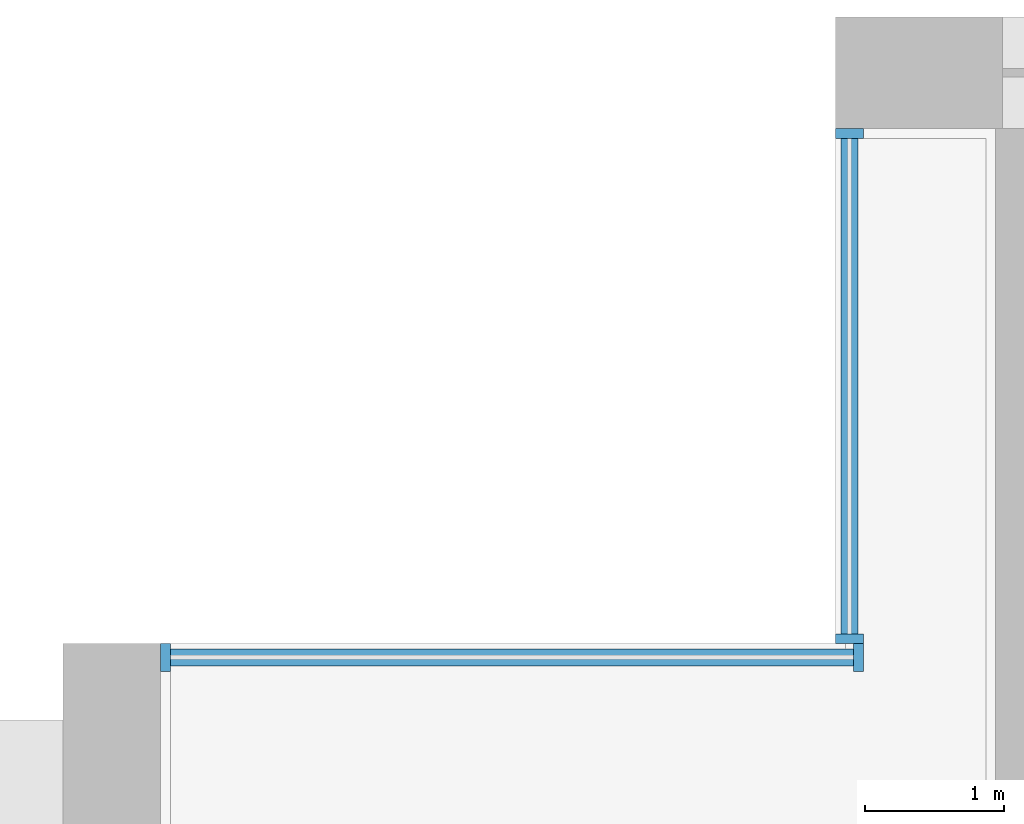
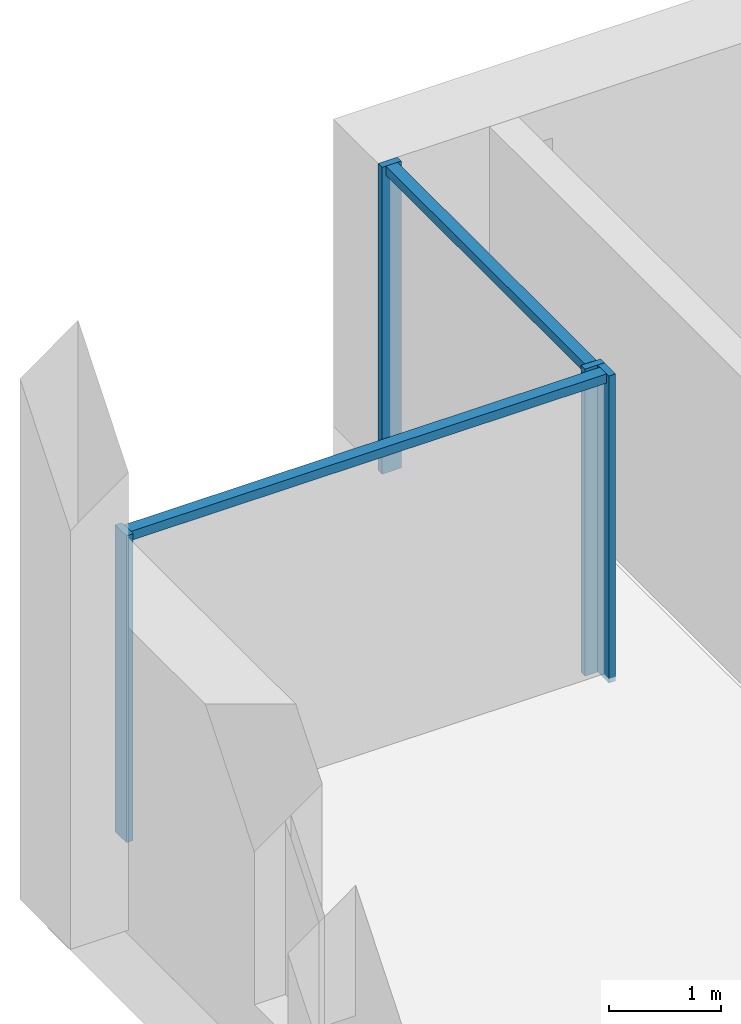
# One storey, part 4 of 18: 6 members, 2 elements without a shape of their own.
"""IFC4 building model written with IfcOpenShell, lengths in metres."""

from ifc_helpers import new_model, si_unit, direction, frame, origin, origin_2d, place, context, subcontext, project, spatial, rectangle, extrude, material, material_profile, profile_set, type_object, element, aggregate, save


model = new_model("IFC4")

# Units and contexts
model_context = context("Model", 3, precision=1e-05, world=origin(), true_north=direction((0.0, 1.0)))
body_context = subcontext(model_context, "Body", "Model", "MODEL_VIEW")
ifc_project = project(units=[si_unit("LENGTHUNIT", "METRE"), si_unit("AREAUNIT", "SQUARE_METRE"), si_unit("VOLUMEUNIT", "CUBIC_METRE"), si_unit("PLANEANGLEUNIT", "RADIAN"), si_unit("MASSUNIT", "GRAM", prefix="KILO")], contexts=[model_context])

# Site, building, storey
site_placement = place(None, origin())
site = spatial("IfcSite", under=ifc_project, at=site_placement, CompositionType="ELEMENT")
building_placement = place(site_placement, origin())
building = spatial("IfcBuilding", under=site, at=building_placement, Name="Calvaro Tower", CompositionType="ELEMENT")
storey_placement = place(building_placement, frame((0.0, 0.0, 95.0)))
storey = spatial("IfcBuildingStorey", under=building, at=storey_placement, Name="L23", CompositionType="ELEMENT", Elevation=95.0)

# Curtain wall, members
ifc_material_1 = material(Name="Anodised aluminium", Category="aluminium")
curtain_wall_type = type_object("IfcCurtainWallType", Name="Office curtain wall, middle zone", PredefinedType="NOTDEFINED", material=ifc_material_1)
curtain_wall_1_placement = place(storey_placement, origin())
curtain_wall_1 = element("IfcCurtainWall", 1, at=curtain_wall_1_placement, inside=storey, type_object=curtain_wall_type, Name="CW2 corner curtain wall", PredefinedType="NOTDEFINED")
ifc_material_2 = material(Name="Anodised aluminium", Category="aluminium")
ifc_material_profile_1 = material_profile(ifc_material_2, rectangle(XDim=0.199951171875, YDim=0.070068359375, at=origin_2d()), Name="Mullion S2 70 x 200")
ifc_profile_set_1 = profile_set([ifc_material_profile_1], Name="Anodised aluminium")
member_type_1 = type_object("IfcMemberType", Name="Mullion S2 70 x 200", PredefinedType="MULLION", material=ifc_profile_set_1)
member_1_placement = place(storey_placement, frame((5.64990234375, 41.534912109375, 0.0), z_axis=(0.0, 0.0, 1.0), x_axis=(-1.0, 0.0, 0.0)))
member_1 = element("IfcMember", 2, at=member_1_placement, type_object=member_type_1, Name="CW2 mullion 1", PredefinedType="MULLION", context=body_context, shape_type="SweptSolid", body=[
    extrude(rectangle(XDim=0.199951171875, YDim=0.070068359375, at=origin_2d()), origin(), (0.0, 0.0, 1.0), 3.35009765625),
])
member_2_placement = place(storey_placement, frame((5.64990234375, 45.1650390625, 0.0), z_axis=(0.0, 0.0, 1.0), x_axis=(-1.0, 0.0, 0.0)))
member_2 = element("IfcMember", 3, at=member_2_placement, type_object=member_type_1, Name="CW2 mullion 2", PredefinedType="MULLION", context=body_context, shape_type="SweptSolid", body=[
    extrude(rectangle(XDim=0.199951171875, YDim=0.070068359375, at=origin_2d()), origin(), (0.0, 0.0, 1.0), 3.35009765625),
])

curtain_wall_2_placement = place(storey_placement, origin())
curtain_wall_2 = element("IfcCurtainWall", 4, at=curtain_wall_2_placement, inside=storey, type_object=curtain_wall_type, Name="CW2 corner curtain wall", PredefinedType="NOTDEFINED")
member_3_placement = place(storey_placement, frame((0.735107421875, 41.39990234375, 0.0), z_axis=(0.0, 0.0, 1.0), x_axis=(0.0, 1.0, 0.0)))
member_3 = element("IfcMember", 5, at=member_3_placement, type_object=member_type_1, Name="CW2 mullion 1", PredefinedType="MULLION", context=body_context, shape_type="SweptSolid", body=[
    extrude(rectangle(XDim=0.199951171875, YDim=0.070068359375, at=origin_2d()), origin(), (0.0, 0.0, 1.0), 3.35009765625),
])
member_4_placement = place(storey_placement, frame((5.715087890625, 41.39990234375, 0.0), z_axis=(0.0, 0.0, 1.0), x_axis=(0.0, 1.0, 0.0)))
member_4 = element("IfcMember", 6, at=member_4_placement, type_object=member_type_1, Name="CW2 mullion 2", PredefinedType="MULLION", context=body_context, shape_type="SweptSolid", body=[
    extrude(rectangle(XDim=0.199951171875, YDim=0.070068359375, at=origin_2d()), origin(), (0.0, 0.0, 1.0), 3.35009765625),
])

# Member
ifc_material_3 = material(Name="Anodised aluminium", Category="aluminium")
ifc_material_profile_2 = material_profile(ifc_material_3, rectangle(XDim=0.1201171875, YDim=0.10009765625, at=origin_2d()), Name="Transom S2 100 x 120")
ifc_profile_set_2 = profile_set([ifc_material_profile_2], Name="Anodised aluminium")
member_type_2 = type_object("IfcMemberType", Name="Transom S2 100 x 120", PredefinedType="USERDEFINED", material=ifc_profile_set_2)
member_5_placement = place(storey_placement, frame((5.64990234375, 41.570068359375, 3.300048828125), z_axis=(0.0, 1.0, 0.0), x_axis=(-1.0, 0.0, 0.0)))
member_5 = element("IfcMember", 7, at=member_5_placement, type_object=member_type_2, Name="CW2 transom 1.1", ObjectType="TRANSOM", PredefinedType="USERDEFINED", context=body_context, shape_type="SweptSolid", body=[
    extrude(rectangle(XDim=0.1201171875, YDim=0.10009765625, at=origin_2d()), origin(), (0.0, 0.0, 1.0), 3.559814453125),
])

aggregate(curtain_wall_1, [member_1, member_2, member_5])

member_6_placement = place(storey_placement, frame((0.77001953125, 41.39990234375, 3.300048828125), z_axis=(1.0, 0.0, 0.0), x_axis=(0.0, 1.0, 0.0)))
member_6 = element("IfcMember", 8, at=member_6_placement, type_object=member_type_2, Name="CW2 transom 1.1", ObjectType="TRANSOM", PredefinedType="USERDEFINED", context=body_context, shape_type="SweptSolid", body=[
    extrude(rectangle(XDim=0.1201171875, YDim=0.10009765625, at=origin_2d()), origin(), (0.0, 0.0, 1.0), 4.909912109375),
])

aggregate(curtain_wall_2, [member_3, member_4, member_6])

save(model, "model.ifc")
